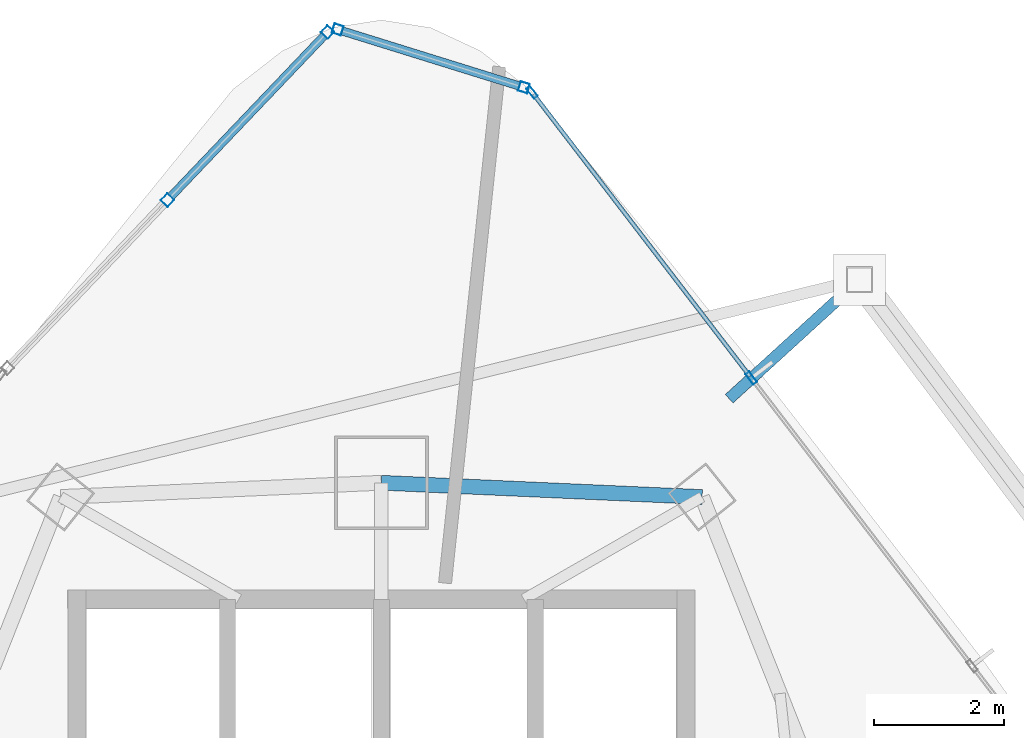
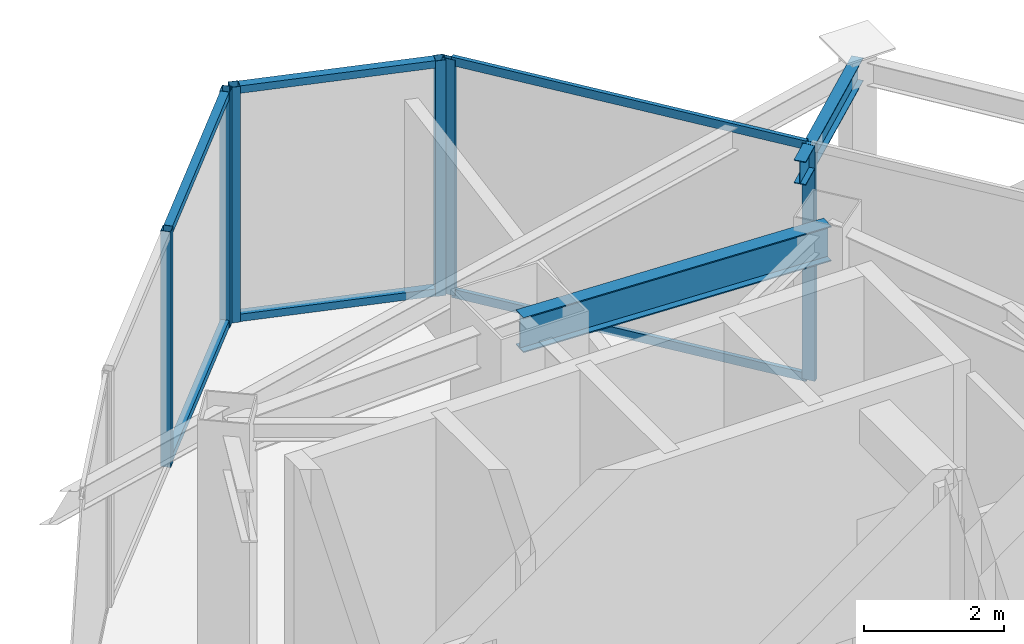
# One storey, part 21 of 28: 12 members, 2 beams, 3 elements without a shape of their own.
"""IFC4 building model written with IfcOpenShell, lengths in metres."""

from ifc_helpers import new_model, si_unit, direction, frame, origin, origin_2d, place, context, subcontext, project, spatial, hollow_rectangle, i_section, extrude, material, layer, layer_set, material_profile, profile_set, type_object, element, aggregate, save


model = new_model("IFC4")

# Units and contexts
model_context = context("Model", 3, precision=1e-05, world=origin(), true_north=direction((0.0, 1.0)))
body_context = subcontext(model_context, "Body", "Model", "MODEL_VIEW")
ifc_project = project(units=[si_unit("LENGTHUNIT", "METRE"), si_unit("AREAUNIT", "SQUARE_METRE"), si_unit("VOLUMEUNIT", "CUBIC_METRE"), si_unit("PLANEANGLEUNIT", "RADIAN"), si_unit("MASSUNIT", "GRAM", prefix="KILO")], contexts=[model_context])

# Site, building, storey
site_placement = place(None, origin())
site = spatial("IfcSite", under=ifc_project, at=site_placement, CompositionType="ELEMENT")
building_placement = place(site_placement, origin())
building = spatial("IfcBuilding", under=site, at=building_placement, Name="Orvanel Arch Residences", CompositionType="ELEMENT")
storey_placement = place(building_placement, frame((0.0, 0.0, 146.300048828125)))
storey = spatial("IfcBuildingStorey", under=building, at=storey_placement, Name="L41", CompositionType="ELEMENT", Elevation=146.300048828125)

# Curtain wall, members
ifc_material_1 = material(Name="Bronze-anodised aluminium AA6063-T6", Category="aluminium")
ifc_layer_1 = layer(ifc_material_1, 0.18994140625)
ifc_layer_set_1 = layer_set([ifc_layer_1], Name="Bronze-anodised aluminium AA6063-T6")
curtain_wall_type_1 = type_object("IfcCurtainWallType", Name="CW5-CRN-SYS", PredefinedType="NOTDEFINED", material=ifc_layer_set_1)
curtain_wall_1_placement = place(storey_placement, origin())
curtain_wall_1 = element("IfcCurtainWall", 1, at=curtain_wall_1_placement, inside=storey, type_object=curtain_wall_type_1, Name="L41 CW5-CRN-SYS Unitised Curtain Wall", PredefinedType="NOTDEFINED")
ifc_material_profile_1 = material_profile(ifc_material_1, hollow_rectangle(XDim=0.14990234375, YDim=0.14990234375, WallThickness=0.0048828125, at=origin_2d()), Name="ALU150x150x5")
ifc_profile_set_1 = profile_set([ifc_material_profile_1], Name="Bronze-anodised aluminium AA6063-T6")
member_type_1 = type_object("IfcMemberType", Name="MUL-150x150", PredefinedType="MULLION", material=ifc_profile_set_1)
member_1_placement = place(storey_placement, frame((35.199462890625, 47.499267578125, 0.0), z_axis=(0.0, 0.0, 1.0), x_axis=(-0.29697674403, -0.954884712154, 0.0)))
member_1 = element("IfcMember", 2, at=member_1_placement, type_object=member_type_1, Name="CW-S5 mullion 1", PredefinedType="MULLION", context=body_context, shape_type="SweptSolid", body=[
    extrude(hollow_rectangle(XDim=0.14990234375, YDim=0.14990234375, WallThickness=0.0048828125, at=origin_2d()), origin(), (0.0, 0.0, 1.0), 4.10986328125),
])
member_2_placement = place(storey_placement, frame((32.32666015625, 48.392822265625, 0.0), z_axis=(0.0, 0.0, 1.0), x_axis=(-0.29697674403, -0.954884712154, 0.0)))
member_2 = element("IfcMember", 3, at=member_2_placement, type_object=member_type_1, Name="CW-S5 mullion 2", PredefinedType="MULLION", context=body_context, shape_type="SweptSolid", body=[
    extrude(hollow_rectangle(XDim=0.14990234375, YDim=0.14990234375, WallThickness=0.0048828125, at=origin_2d()), origin(), (0.0, 0.0, 1.0), 4.10986328125),
])

curtain_wall_2_placement = place(storey_placement, origin())
curtain_wall_2 = element("IfcCurtainWall", 4, at=curtain_wall_2_placement, inside=storey, type_object=curtain_wall_type_1, Name="L41 CW5-CRN-SYS Unitised Curtain Wall", PredefinedType="NOTDEFINED")
member_3_placement = place(storey_placement, frame((32.170166015625, 48.352783203125, 0.0), z_axis=(0.0, 0.0, 1.0), x_axis=(0.723855031398, -0.68995209509, 0.0)))
member_3 = element("IfcMember", 5, at=member_3_placement, type_object=member_type_1, Name="CW-S5 mullion 1", PredefinedType="MULLION", context=body_context, shape_type="SweptSolid", body=[
    extrude(hollow_rectangle(XDim=0.14990234375, YDim=0.14990234375, WallThickness=0.0048828125, at=origin_2d()), origin(), (0.0, 0.0, 1.0), 4.10986328125),
])
member_4_placement = place(storey_placement, frame((29.698486328125, 45.759521484375, 0.0), z_axis=(0.0, 0.0, 1.0), x_axis=(0.723855031398, -0.68995209509, 0.0)))
member_4 = element("IfcMember", 6, at=member_4_placement, type_object=member_type_1, Name="CW-S5 mullion 2", PredefinedType="MULLION", context=body_context, shape_type="SweptSolid", body=[
    extrude(hollow_rectangle(XDim=0.14990234375, YDim=0.14990234375, WallThickness=0.0048828125, at=origin_2d()), origin(), (0.0, 0.0, 1.0), 4.10986328125),
])

ifc_layer_2 = layer(ifc_material_1, 0.195068359375)
ifc_layer_set_2 = layer_set([ifc_layer_2], Name="Bronze-anodised aluminium AA6063-T6")
curtain_wall_type_2 = type_object("IfcCurtainWallType", Name="CW6-COM-SYS", PredefinedType="NOTDEFINED", material=ifc_layer_set_2)
curtain_wall_3_placement = place(storey_placement, origin())
curtain_wall_3 = element("IfcCurtainWall", 7, at=curtain_wall_3_placement, inside=storey, type_object=curtain_wall_type_2, Name="L41 CW6-COM-SYS Unitised Curtain Wall", PredefinedType="NOTDEFINED")
ifc_material_profile_2 = material_profile(ifc_material_1, hollow_rectangle(XDim=0.074951171875, YDim=0.199951171875, WallThickness=0.0048828125, at=origin_2d()), Name="ALU200x75x5")
ifc_profile_set_2 = profile_set([ifc_material_profile_2], Name="Bronze-anodised aluminium AA6063-T6")
member_type_2 = type_object("IfcMemberType", Name="MUL-200x75", PredefinedType="MULLION", material=ifc_profile_set_2)
member_5_placement = place(storey_placement, frame((38.709716796875, 43.013427734375, 0.0), z_axis=(0.0, 0.0, 1.0), x_axis=(-0.793400272158, -0.608700261327, 0.0)))
member_5 = element("IfcMember", 8, at=member_5_placement, type_object=member_type_2, Name="CW-S6 mullion 3", PredefinedType="MULLION", context=body_context, shape_type="SweptSolid", body=[
    extrude(hollow_rectangle(XDim=0.074951171875, YDim=0.199951171875, WallThickness=0.0048828125, at=origin_2d()), origin(), (0.0, 0.0, 1.0), 4.10986328125),
])
member_6_placement = place(storey_placement, frame((35.32470703125, 47.42529296875, 0.0), z_axis=(0.0, 0.0, 1.0), x_axis=(-0.793400272158, -0.608700261327, 0.0)))
member_6 = element("IfcMember", 9, at=member_6_placement, type_object=member_type_2, Name="CW-S6 mullion 4", PredefinedType="MULLION", context=body_context, shape_type="SweptSolid", body=[
    extrude(hollow_rectangle(XDim=0.074951171875, YDim=0.199951171875, WallThickness=0.0048828125, at=origin_2d()), origin(), (0.0, 0.0, 1.0), 4.10986328125),
])

# Beams
ifc_material_2 = material(Name="Structural steel AS/NZS 3679.1 Grade 300 (300 MPa)", Category="steel")
ifc_material_profile_3 = material_profile(ifc_material_2, i_section(OverallWidth=0.177978515625, OverallDepth=0.406005859375, WebThickness=0.0078125, FlangeThickness=0.0126953125, at=origin_2d()), Name="410UB59.7")
ifc_profile_set_3 = profile_set([ifc_material_profile_3], Name="Structural steel AS/NZS 3679.1 Grade 300 (300 MPa)")
beam_type_1 = type_object("IfcBeamType", Name="OB-410UB-EXT", PredefinedType="SPANDREL", material=ifc_profile_set_3)
beam_1_placement = place(storey_placement, frame((38.367919921875, 42.695068359375, 3.906982421875), z_axis=(0.73850295441, 0.674250240139, 0.0), x_axis=(-0.674250240139, 0.73850295441, 0.0)))
element("IfcBeam", 10, at=beam_1_placement, inside=storey, type_object=beam_type_1, Name="L41 Outer Frame Radial Tie Beam 12", PredefinedType="SPANDREL", context=body_context, shape_type="SweptSolid", body=[
    extrude(i_section(OverallWidth=0.177978515625, OverallDepth=0.406005859375, WebThickness=0.0078125, FlangeThickness=0.0126953125, at=origin_2d()), origin(), (0.0, 0.0, 1.0), 2.724365234375),
])
ifc_material_profile_4 = material_profile(ifc_material_2, i_section(OverallWidth=0.22900390625, OverallDepth=0.612060546875, WebThickness=0.011962890625, FlangeThickness=0.01953125, at=origin_2d()), Name="610UB125")
ifc_profile_set_4 = profile_set([ifc_material_profile_4], Name="Structural steel AS/NZS 3679.1 Grade 300 (300 MPa)")
beam_type_2 = type_object("IfcBeamType", Name="SP-610UB", PredefinedType="SPANDREL", material=ifc_profile_set_4)
beam_2_placement = place(storey_placement, frame((37.949951171875, 41.177978515625, 3.803955078125), z_axis=(-0.999014049296, 0.044395149614, 0.0), x_axis=(-0.044395149614, -0.999014049296, 0.0)))
element("IfcBeam", 11, at=beam_2_placement, inside=storey, type_object=beam_type_2, Name="L41 Perimeter Spandrel Beam 14", PredefinedType="SPANDREL", context=body_context, shape_type="SweptSolid", body=[
    extrude(i_section(OverallWidth=0.22900390625, OverallDepth=0.612060546875, WebThickness=0.011962890625, FlangeThickness=0.01953125, at=origin_2d()), origin(), (0.0, 0.0, 1.0), 4.954833984375),
])

# Member
ifc_material_profile_5 = material_profile(ifc_material_1, hollow_rectangle(XDim=0.1298828125, YDim=0.1298828125, WallThickness=0.00439453125, at=origin_2d()), Name="ALU130x130x4.5")
ifc_profile_set_5 = profile_set([ifc_material_profile_5], Name="Bronze-anodised aluminium AA6063-T6")
member_type_3 = type_object("IfcMemberType", Name="TRN-130x130", PredefinedType="USERDEFINED", material=ifc_profile_set_5)
member_7_placement = place(storey_placement, frame((35.127685546875, 47.521484375, 0.06494140625), z_axis=(-0.954886382518, 0.296971373168, 0.0), x_axis=(-0.296971373168, -0.954886382518, 0.0)))
member_7 = element("IfcMember", 12, at=member_7_placement, type_object=member_type_3, Name="CW-S5 transom 1.1", ObjectType="TRANSOM", PredefinedType="USERDEFINED", context=body_context, shape_type="SweptSolid", body=[
    extrude(hollow_rectangle(XDim=0.1298828125, YDim=0.1298828125, WallThickness=0.00439453125, at=origin_2d()), origin(), (0.0, 0.0, 1.0), 2.8583984375),
])

member_8_placement = place(storey_placement, frame((35.127685546875, 47.521484375, 4.044921875), z_axis=(-0.954886382518, 0.296971373168, 0.0), x_axis=(-0.296971373168, -0.954886382518, 0.0)))
member_8 = element("IfcMember", 13, at=member_8_placement, type_object=member_type_3, Name="CW-S5 transom 1.2", ObjectType="TRANSOM", PredefinedType="USERDEFINED", context=body_context, shape_type="SweptSolid", body=[
    extrude(hollow_rectangle(XDim=0.1298828125, YDim=0.1298828125, WallThickness=0.00439453125, at=origin_2d()), origin(), (0.0, 0.0, 1.0), 2.8583984375),
])

aggregate(curtain_wall_1, [member_1, member_2, member_7, member_8])

member_9_placement = place(storey_placement, frame((32.118408203125, 48.29833984375, 0.06494140625), z_axis=(-0.689939292058, -0.723867234564, 0.0), x_axis=(0.723867234564, -0.689939292058, 0.0)))
member_9 = element("IfcMember", 14, at=member_9_placement, type_object=member_type_3, Name="CW-S5 transom 1.1", ObjectType="TRANSOM", PredefinedType="USERDEFINED", context=body_context, shape_type="SweptSolid", body=[
    extrude(hollow_rectangle(XDim=0.1298828125, YDim=0.1298828125, WallThickness=0.00439453125, at=origin_2d()), origin(), (0.0, 0.0, 1.0), 3.432373046875),
])

member_10_placement = place(storey_placement, frame((32.118408203125, 48.29833984375, 4.044921875), z_axis=(-0.689939292058, -0.723867234564, 0.0), x_axis=(0.723867234564, -0.689939292058, 0.0)))
member_10 = element("IfcMember", 15, at=member_10_placement, type_object=member_type_3, Name="CW-S5 transom 1.2", ObjectType="TRANSOM", PredefinedType="USERDEFINED", context=body_context, shape_type="SweptSolid", body=[
    extrude(hollow_rectangle(XDim=0.1298828125, YDim=0.1298828125, WallThickness=0.00439453125, at=origin_2d()), origin(), (0.0, 0.0, 1.0), 3.432373046875),
])

aggregate(curtain_wall_2, [member_3, member_4, member_9, member_10])

ifc_material_profile_6 = material_profile(ifc_material_1, hollow_rectangle(XDim=0.06494140625, YDim=0.14990234375, WallThickness=0.00390625, at=origin_2d()), Name="ALU150x65x4")
ifc_profile_set_6 = profile_set([ifc_material_profile_6], Name="Bronze-anodised aluminium AA6063-T6")
member_type_4 = type_object("IfcMemberType", Name="TRN-150x65", PredefinedType="USERDEFINED", material=ifc_profile_set_6)
member_11_placement = place(storey_placement, frame((38.686767578125, 43.04296875, 0.032470703125), z_axis=(-0.608680038132, 0.793415787075, 0.0), x_axis=(-0.793415787075, -0.608680038132, 0.0)))
member_11 = element("IfcMember", 16, at=member_11_placement, type_object=member_type_4, Name="CW-S6 transom 3.1", ObjectType="TRANSOM", PredefinedType="USERDEFINED", context=body_context, shape_type="SweptSolid", body=[
    extrude(hollow_rectangle(XDim=0.06494140625, YDim=0.14990234375, WallThickness=0.00390625, at=origin_2d()), origin(), (0.0, 0.0, 1.0), 5.48583984375),
])

member_12_placement = place(storey_placement, frame((38.686767578125, 43.04296875, 4.077392578125), z_axis=(-0.608680038132, 0.793415787075, 0.0), x_axis=(-0.793415787075, -0.608680038132, 0.0)))
member_12 = element("IfcMember", 17, at=member_12_placement, type_object=member_type_4, Name="CW-S6 transom 3.2", ObjectType="TRANSOM", PredefinedType="USERDEFINED", context=body_context, shape_type="SweptSolid", body=[
    extrude(hollow_rectangle(XDim=0.06494140625, YDim=0.14990234375, WallThickness=0.00390625, at=origin_2d()), origin(), (0.0, 0.0, 1.0), 5.48583984375),
])

aggregate(curtain_wall_3, [member_5, member_6, member_11, member_12])

save(model, "model.ifc")
